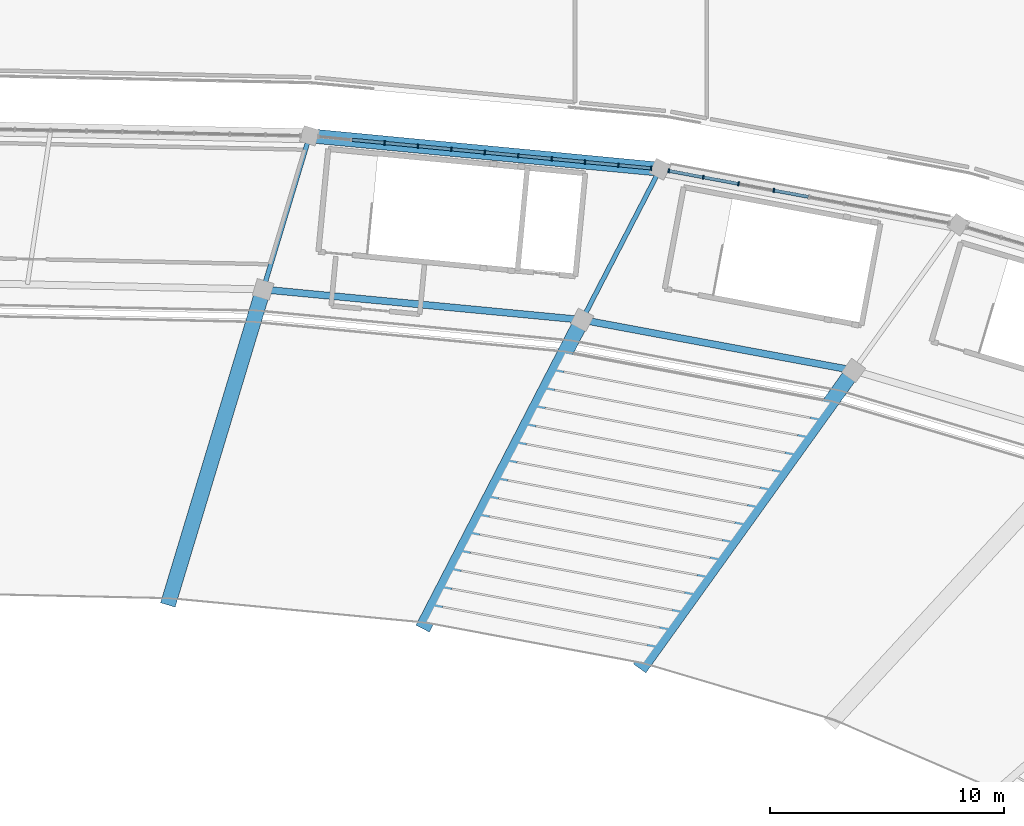
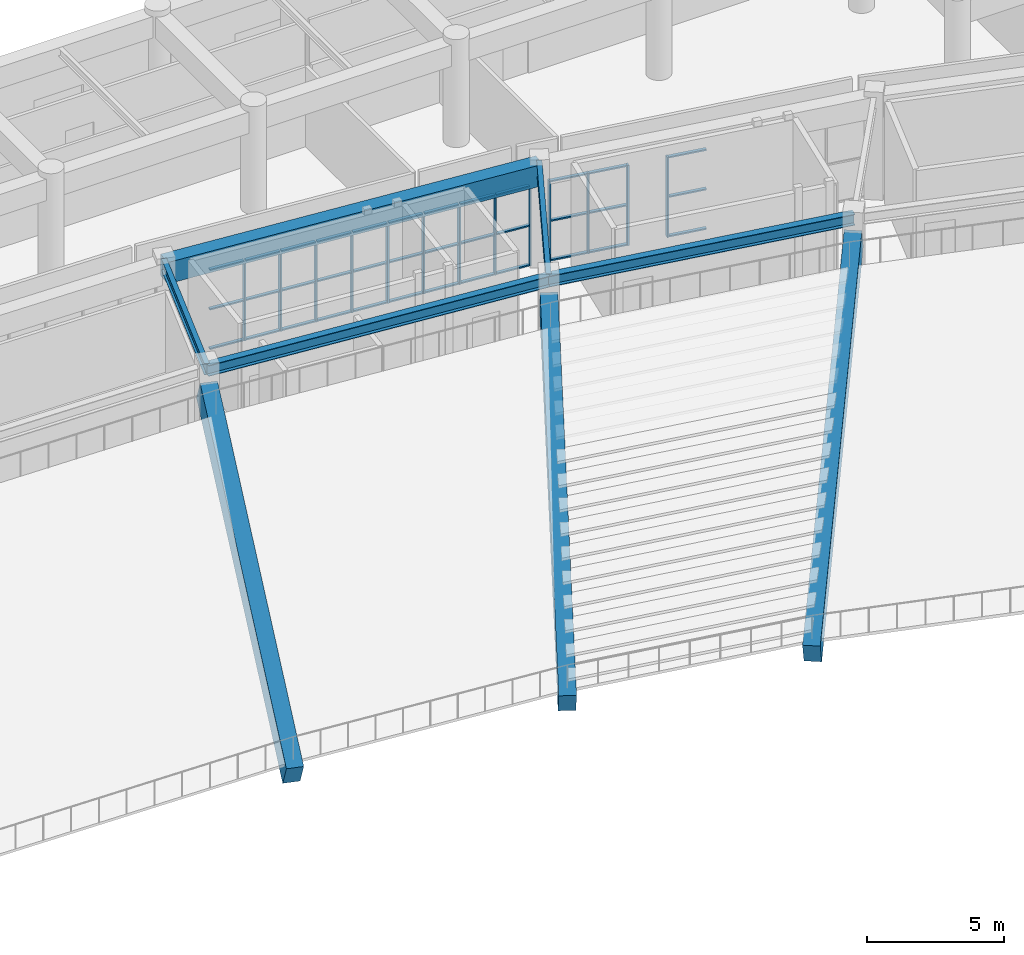
# One storey, part 64 of 137: 49 members, 8 beams, 2 elements without a shape of their own.
"""IFC4 building model written with IfcOpenShell, lengths in metres."""

from ifc_helpers import new_model, si_unit, direction, frame, origin, origin_2d, place, context, subcontext, project, spatial, rectangle, i_section, extrude, material, layer, layer_set, material_profile, profile_set, type_object, element, aggregate, save


model = new_model("IFC4")

# Units and contexts
model_context = context("Model", 3, precision=1e-05, world=origin(), true_north=direction((0.0, 1.0)))
body_context = subcontext(model_context, "Body", "Model", "MODEL_VIEW")
ifc_project = project(units=[si_unit("LENGTHUNIT", "METRE"), si_unit("AREAUNIT", "SQUARE_METRE"), si_unit("VOLUMEUNIT", "CUBIC_METRE"), si_unit("PLANEANGLEUNIT", "RADIAN"), si_unit("MASSUNIT", "GRAM", prefix="KILO")], contexts=[model_context])

# Site, building, storey
site_placement = place(None, origin())
site = spatial("IfcSite", under=ifc_project, at=site_placement, CompositionType="ELEMENT")
building_placement = place(site_placement, origin())
building = spatial("IfcBuilding", under=site, at=building_placement, Name="Mphavela Belvedere Stadium", CompositionType="ELEMENT")
storey_placement = place(building_placement, frame((0.0, 0.0, 19.199951171875)))
storey = spatial("IfcBuildingStorey", under=building, at=storey_placement, Name="L04", CompositionType="ELEMENT", Elevation=19.199951171875)

# Beams
ifc_material_1 = material(Name="Concrete C40/50", Category="concrete")
ifc_material_profile_1 = material_profile(ifc_material_1, rectangle(XDim=0.60009765625, YDim=0.949951171875, at=origin_2d()), Name="RC 600x950")
ifc_profile_set_1 = profile_set([ifc_material_profile_1], Name="Concrete C40/50")
beam_type_1 = type_object("IfcBeamType", Name="BM-ENTABLATURE-950", PredefinedType="SPANDREL", material=ifc_profile_set_1)
beam_1_placement = place(storey_placement, frame((152.07275390625, 158.767333984375, 4.074951171875), z_axis=(-0.995483415661, 0.094935605244, 0.0), x_axis=(-0.094935605244, -0.995483415661, 0.0)))
element("IfcBeam", 1, at=beam_1_placement, inside=storey, type_object=beam_type_1, Name="Circumferential girder L04 R4-11", PredefinedType="SPANDREL", context=body_context, shape_type="SweptSolid", body=[
    extrude(rectangle(XDim=0.60009765625, YDim=0.949951171875, at=origin_2d()), origin(), (0.0, 0.0, 1.0), 15.026123046875),
])
ifc_material_2 = material(Name="Precast concrete C45/55", Category="concrete")
ifc_material_profile_2 = material_profile(ifc_material_2, rectangle(XDim=0.64990234375, YDim=1.199951171875, at=origin_2d()), Name="PC 650x1200")
ifc_profile_set_2 = profile_set([ifc_material_profile_2], Name="Precast concrete C45/55")
beam_type_2 = type_object("IfcBeamType", Name="BM-RAKER-UPPER", PredefinedType="USERDEFINED", material=ifc_profile_set_2)
beam_2_placement = place(storey_placement, frame((151.3642578125, 137.6728515625, -4.349853515625), z_axis=(0.52074281352, 0.725648225206, 0.449735005778), x_axis=(-0.812448575999, 0.583032856155, 0.0)))
element("IfcBeam", 2, at=beam_2_placement, inside=storey, type_object=beam_type_2, Name="Upper tier precast cantilever raker beam RK-U-10", ObjectType="RAKER BEAM", PredefinedType="USERDEFINED", context=body_context, shape_type="SweptSolid", body=[
    extrude(rectangle(XDim=0.64990234375, YDim=1.199951171875, at=origin_2d()), origin(), (0.0, 0.0, 1.0), 17.232421875),
])
beam_3_placement = place(storey_placement, frame((142.0703125, 139.40380859375, -4.349853515625), z_axis=(0.405096393963, 0.784223741656, 0.469989398413), x_axis=(-0.888465577713, 0.458943261437, 0.0)))
element("IfcBeam", 3, at=beam_3_placement, inside=storey, type_object=beam_type_2, Name="Upper tier precast cantilever raker beam RK-U-11", ObjectType="RAKER BEAM", PredefinedType="USERDEFINED", context=body_context, shape_type="SweptSolid", body=[
    extrude(rectangle(XDim=0.64990234375, YDim=1.199951171875, at=origin_2d()), origin(), (0.0, 0.0, 1.0), 16.48974609375),
])
beam_4_placement = place(storey_placement, frame((131.14794921875, 140.4453125, -4.349853515625), z_axis=(0.252083378261, 0.83432154007, 0.490266803058), x_axis=(-0.957260157301, 0.289228268404, 0.0)))
element("IfcBeam", 4, at=beam_4_placement, inside=storey, type_object=beam_type_2, Name="Upper tier precast cantilever raker beam RK-U-12", ObjectType="RAKER BEAM", PredefinedType="USERDEFINED", context=body_context, shape_type="SweptSolid", body=[
    extrude(rectangle(XDim=0.64990234375, YDim=1.199951171875, at=origin_2d()), origin(), (0.0, 0.0, 1.0), 15.8076171875),
])
ifc_material_3 = material(Name="Steel S355", Category="steel")
ifc_material_profile_3 = material_profile(ifc_material_3, i_section(OverallWidth=0.300048828125, OverallDepth=0.489990234375, WebThickness=0.011962890625, FlangeThickness=0.02294921875, at=origin_2d()), Name="HEA 500")
ifc_profile_set_3 = profile_set([ifc_material_profile_3], Name="Steel S355")
beam_type_3 = type_object("IfcBeamType", Name="BM-STEEL-HEA500", PredefinedType="BEAM", material=ifc_profile_set_3)
beam_5_placement = place(storey_placement, frame((160.337890625, 150.177490234375, 4.304931640625), z_axis=(-0.983097725009, 0.18308157494, 0.0), x_axis=(-0.18308157494, -0.983097725009, 0.0)))
element("IfcBeam", 5, at=beam_5_placement, inside=storey, type_object=beam_type_3, Name="Circumferential girder L04 R3-10", PredefinedType="BEAM", context=body_context, shape_type="SweptSolid", body=[
    extrude(i_section(OverallWidth=0.300048828125, OverallDepth=0.489990234375, WebThickness=0.011962890625, FlangeThickness=0.02294921875, at=origin_2d()), origin(), (0.0, 0.0, 1.0), 11.786865234375),
])
beam_6_placement = place(storey_placement, frame((148.750244140625, 152.33544921875, 4.304931640625), z_axis=(-0.995483834103, 0.094931217412, 0.0), x_axis=(-0.094931217412, -0.995483834103, 0.0)))
element("IfcBeam", 6, at=beam_6_placement, inside=storey, type_object=beam_type_3, Name="Circumferential girder L04 R3-11", PredefinedType="BEAM", context=body_context, shape_type="SweptSolid", body=[
    extrude(i_section(OverallWidth=0.300048828125, OverallDepth=0.489990234375, WebThickness=0.011962890625, FlangeThickness=0.02294921875, at=origin_2d()), origin(), (0.0, 0.0, 1.0), 13.67919921875),
])
ifc_material_4 = material(Name="Steel S355", Category="steel")
ifc_material_profile_4 = material_profile(ifc_material_4, i_section(OverallWidth=0.199951171875, OverallDepth=0.5, WebThickness=0.01025390625, FlangeThickness=0.01611328125, at=origin_2d()), Name="IPE 500")
ifc_profile_set_4 = profile_set([ifc_material_profile_4], Name="Steel S355")
beam_type_4 = type_object("IfcBeamType", Name="BM-STEEL-IPE500", PredefinedType="BEAM", material=ifc_profile_set_4)
beam_7_placement = place(storey_placement, frame((148.750244140625, 152.33544921875, 4.300048828125), z_axis=(0.458951286165, 0.888461432436, 0.0), x_axis=(-0.888461432436, 0.458951286165, 0.0)))
element("IfcBeam", 7, at=beam_7_placement, inside=storey, type_object=beam_type_4, Name="Radial concourse girder L04 R3R4-11", PredefinedType="BEAM", context=body_context, shape_type="SweptSolid", body=[
    extrude(i_section(OverallWidth=0.199951171875, OverallDepth=0.5, WebThickness=0.01025390625, FlangeThickness=0.01611328125, at=origin_2d()), origin(), (0.0, 0.0, 1.0), 7.2392578125),
])
beam_8_placement = place(storey_placement, frame((135.1328125, 153.634033203125, 4.300048828125), z_axis=(0.28918755919, 0.95727245631, 0.0), x_axis=(-0.95727245631, 0.28918755919, 0.0)))
element("IfcBeam", 8, at=beam_8_placement, inside=storey, type_object=beam_type_4, Name="Radial concourse girder L04 R3R4-12", PredefinedType="BEAM", context=body_context, shape_type="SweptSolid", body=[
    extrude(i_section(OverallWidth=0.199951171875, OverallDepth=0.5, WebThickness=0.01025390625, FlangeThickness=0.01611328125, at=origin_2d()), origin(), (0.0, 0.0, 1.0), 6.8525390625),
])

# Curtain wall, members
ifc_material_5 = material(Name="Anodised bronze unitised curtain wall framing")
ifc_layer_1 = layer(ifc_material_5, 0.205078125)
ifc_layer_set_1 = layer_set([ifc_layer_1], Name="Anodised bronze unitised curtain wall framing")
curtain_wall_type_1 = type_object("IfcCurtainWallType", Name="CW-UNIT-06", PredefinedType="USERDEFINED", material=ifc_layer_set_1)
curtain_wall_1_placement = place(storey_placement, origin())
curtain_wall_1 = element("IfcCurtainWall", 9, at=curtain_wall_1_placement, inside=storey, type_object=curtain_wall_type_1, Name="Belvedere colonnade curtain wall L04-10", ObjectType="UNITISED CURTAIN WALL", PredefinedType="USERDEFINED")
ifc_material_6 = material(Name="Anodised bronze extruded aluminium", Category="aluminium")
ifc_material_profile_5 = material_profile(ifc_material_6, rectangle(XDim=0.179931640625, YDim=0.06494140625, at=origin_2d()), Name="CW-MUL 180x65")
ifc_profile_set_5 = profile_set([ifc_material_profile_5], Name="Anodised bronze extruded aluminium")
member_type_1 = type_object("IfcMemberType", Name="CWM-180x65", PredefinedType="MULLION", material=ifc_profile_set_5)
member_1_placement = place(storey_placement, frame((156.931396484375, 157.862548828125, 0.0), z_axis=(0.0, 0.0, 1.0), x_axis=(-0.183090835302, -0.983096000413, 0.0)))
member_1 = element("IfcMember", 10, at=member_1_placement, type_object=member_type_1, Name="CW-06 mullion 6", PredefinedType="MULLION", context=body_context, shape_type="SweptSolid", body=[
    extrude(rectangle(XDim=0.179931640625, YDim=0.06494140625, at=origin_2d()), origin(), (0.0, 0.0, 1.0), 3.570068359375),
])
member_2_placement = place(storey_placement, frame((155.426025390625, 158.142822265625, 0.0), z_axis=(0.0, 0.0, 1.0), x_axis=(-0.183090835302, -0.983096000413, 0.0)))
member_2 = element("IfcMember", 11, at=member_2_placement, type_object=member_type_1, Name="CW-06 mullion 7", PredefinedType="MULLION", context=body_context, shape_type="SweptSolid", body=[
    extrude(rectangle(XDim=0.179931640625, YDim=0.06494140625, at=origin_2d()), origin(), (0.0, 0.0, 1.0), 3.570068359375),
])
member_3_placement = place(storey_placement, frame((153.92041015625, 158.42333984375, 0.0), z_axis=(0.0, 0.0, 1.0), x_axis=(-0.183090835302, -0.983096000413, 0.0)))
member_3 = element("IfcMember", 12, at=member_3_placement, type_object=member_type_1, Name="CW-06 mullion 8", PredefinedType="MULLION", context=body_context, shape_type="SweptSolid", body=[
    extrude(rectangle(XDim=0.179931640625, YDim=0.06494140625, at=origin_2d()), origin(), (0.0, 0.0, 1.0), 3.570068359375),
])
member_4_placement = place(storey_placement, frame((152.44677734375, 158.69775390625, 0.0), z_axis=(0.0, 0.0, 1.0), x_axis=(-0.183090835302, -0.983096000413, 0.0)))
member_4 = element("IfcMember", 13, at=member_4_placement, type_object=member_type_1, Name="CW-06 mullion 9", PredefinedType="MULLION", context=body_context, shape_type="SweptSolid", body=[
    extrude(rectangle(XDim=0.179931640625, YDim=0.06494140625, at=origin_2d()), origin(), (0.0, 0.0, 1.0), 3.570068359375),
])

ifc_material_7 = material(Name="Anodised bronze unitised curtain wall framing")
ifc_layer_2 = layer(ifc_material_7, 0.179931640625)
ifc_layer_set_2 = layer_set([ifc_layer_2], Name="Anodised bronze unitised curtain wall framing")
curtain_wall_type_2 = type_object("IfcCurtainWallType", Name="CW-UNIT-01", PredefinedType="USERDEFINED", material=ifc_layer_set_2)
curtain_wall_2_placement = place(storey_placement, origin())
curtain_wall_2 = element("IfcCurtainWall", 14, at=curtain_wall_2_placement, inside=storey, type_object=curtain_wall_type_2, Name="Belvedere colonnade curtain wall L04-11", ObjectType="UNITISED CURTAIN WALL", PredefinedType="USERDEFINED")
member_5_placement = place(storey_placement, frame((151.694091796875, 158.803466796875, 0.0), z_axis=(0.0, 0.0, 1.0), x_axis=(-0.094932913757, -0.995483672335, 0.0)))
member_5 = element("IfcMember", 15, at=member_5_placement, type_object=member_type_1, Name="CW-01 mullion 1", PredefinedType="MULLION", context=body_context, shape_type="SweptSolid", body=[
    extrude(rectangle(XDim=0.179931640625, YDim=0.06494140625, at=origin_2d()), origin(), (0.0, 0.0, 1.0), 3.570068359375),
])
member_6_placement = place(storey_placement, frame((150.2998046875, 158.9365234375, 0.0), z_axis=(0.0, 0.0, 1.0), x_axis=(-0.094932913757, -0.995483672335, 0.0)))
member_6 = element("IfcMember", 16, at=member_6_placement, type_object=member_type_1, Name="CW-01 mullion 2", PredefinedType="MULLION", context=body_context, shape_type="SweptSolid", body=[
    extrude(rectangle(XDim=0.179931640625, YDim=0.06494140625, at=origin_2d()), origin(), (0.0, 0.0, 1.0), 3.570068359375),
])
member_7_placement = place(storey_placement, frame((148.873291015625, 159.072509765625, 0.0), z_axis=(0.0, 0.0, 1.0), x_axis=(-0.094932913757, -0.995483672335, 0.0)))
member_7 = element("IfcMember", 17, at=member_7_placement, type_object=member_type_1, Name="CW-01 mullion 3", PredefinedType="MULLION", context=body_context, shape_type="SweptSolid", body=[
    extrude(rectangle(XDim=0.179931640625, YDim=0.06494140625, at=origin_2d()), origin(), (0.0, 0.0, 1.0), 3.570068359375),
])
member_8_placement = place(storey_placement, frame((147.44677734375, 159.20849609375, 0.0), z_axis=(0.0, 0.0, 1.0), x_axis=(-0.094932913757, -0.995483672335, 0.0)))
member_8 = element("IfcMember", 18, at=member_8_placement, type_object=member_type_1, Name="CW-01 mullion 4", PredefinedType="MULLION", context=body_context, shape_type="SweptSolid", body=[
    extrude(rectangle(XDim=0.179931640625, YDim=0.06494140625, at=origin_2d()), origin(), (0.0, 0.0, 1.0), 3.570068359375),
])
member_9_placement = place(storey_placement, frame((146.020263671875, 159.344482421875, 0.0), z_axis=(0.0, 0.0, 1.0), x_axis=(-0.094932913757, -0.995483672335, 0.0)))
member_9 = element("IfcMember", 19, at=member_9_placement, type_object=member_type_1, Name="CW-01 mullion 5", PredefinedType="MULLION", context=body_context, shape_type="SweptSolid", body=[
    extrude(rectangle(XDim=0.179931640625, YDim=0.06494140625, at=origin_2d()), origin(), (0.0, 0.0, 1.0), 3.570068359375),
])
member_10_placement = place(storey_placement, frame((144.59375, 159.480712890625, 0.0), z_axis=(0.0, 0.0, 1.0), x_axis=(-0.094932913757, -0.995483672335, 0.0)))
member_10 = element("IfcMember", 20, at=member_10_placement, type_object=member_type_1, Name="CW-01 mullion 6", PredefinedType="MULLION", context=body_context, shape_type="SweptSolid", body=[
    extrude(rectangle(XDim=0.179931640625, YDim=0.06494140625, at=origin_2d()), origin(), (0.0, 0.0, 1.0), 3.570068359375),
])
member_11_placement = place(storey_placement, frame((143.167236328125, 159.61669921875, 0.0), z_axis=(0.0, 0.0, 1.0), x_axis=(-0.094932913757, -0.995483672335, 0.0)))
member_11 = element("IfcMember", 21, at=member_11_placement, type_object=member_type_1, Name="CW-01 mullion 7", PredefinedType="MULLION", context=body_context, shape_type="SweptSolid", body=[
    extrude(rectangle(XDim=0.179931640625, YDim=0.06494140625, at=origin_2d()), origin(), (0.0, 0.0, 1.0), 3.570068359375),
])
member_12_placement = place(storey_placement, frame((141.74072265625, 159.752685546875, 0.0), z_axis=(0.0, 0.0, 1.0), x_axis=(-0.094932913757, -0.995483672335, 0.0)))
member_12 = element("IfcMember", 22, at=member_12_placement, type_object=member_type_1, Name="CW-01 mullion 8", PredefinedType="MULLION", context=body_context, shape_type="SweptSolid", body=[
    extrude(rectangle(XDim=0.179931640625, YDim=0.06494140625, at=origin_2d()), origin(), (0.0, 0.0, 1.0), 3.570068359375),
])
member_13_placement = place(storey_placement, frame((140.31396484375, 159.888671875, 0.0), z_axis=(0.0, 0.0, 1.0), x_axis=(-0.094932913757, -0.995483672335, 0.0)))
member_13 = element("IfcMember", 23, at=member_13_placement, type_object=member_type_1, Name="CW-01 mullion 9", PredefinedType="MULLION", context=body_context, shape_type="SweptSolid", body=[
    extrude(rectangle(XDim=0.179931640625, YDim=0.06494140625, at=origin_2d()), origin(), (0.0, 0.0, 1.0), 3.570068359375),
])

# Member
ifc_material_8 = material(Name="Anodised bronze extruded aluminium", Category="aluminium")
ifc_material_profile_6 = material_profile(ifc_material_8, rectangle(XDim=0.139892578125, YDim=0.06005859375, at=origin_2d()), Name="CW-TRN 140x60")
ifc_profile_set_6 = profile_set([ifc_material_profile_6], Name="Anodised bronze extruded aluminium")
member_type_2 = type_object("IfcMemberType", Name="CWT-140x60", PredefinedType="USERDEFINED", material=ifc_profile_set_6)
member_14_placement = place(storey_placement, frame((158.405029296875, 157.588134765625, 0.030029296875), z_axis=(-0.983088250536, 0.183132442945, 0.0), x_axis=(-0.183132442945, -0.983088250536, 0.0)))
member_14 = element("IfcMember", 24, at=member_14_placement, type_object=member_type_2, Name="CW-06 transom 5.1", ObjectType="TRANSOM", PredefinedType="USERDEFINED", context=body_context, shape_type="SweptSolid", body=[
    extrude(rectangle(XDim=0.139892578125, YDim=0.06005859375, at=origin_2d()), origin(), (0.0, 0.0, 1.0), 1.466552734375),
])

member_15_placement = place(storey_placement, frame((158.405029296875, 157.588134765625, 1.78515625), z_axis=(-0.983088250536, 0.183132442945, 0.0), x_axis=(-0.183132442945, -0.983088250536, 0.0)))
member_15 = element("IfcMember", 25, at=member_15_placement, type_object=member_type_2, Name="CW-06 transom 5.2", ObjectType="TRANSOM", PredefinedType="USERDEFINED", context=body_context, shape_type="SweptSolid", body=[
    extrude(rectangle(XDim=0.139892578125, YDim=0.06005859375, at=origin_2d()), origin(), (0.0, 0.0, 1.0), 1.466552734375),
])

member_16_placement = place(storey_placement, frame((158.405029296875, 157.588134765625, 3.5400390625), z_axis=(-0.983088250536, 0.183132442945, 0.0), x_axis=(-0.183132442945, -0.983088250536, 0.0)))
member_16 = element("IfcMember", 26, at=member_16_placement, type_object=member_type_2, Name="CW-06 transom 5.3", ObjectType="TRANSOM", PredefinedType="USERDEFINED", context=body_context, shape_type="SweptSolid", body=[
    extrude(rectangle(XDim=0.139892578125, YDim=0.06005859375, at=origin_2d()), origin(), (0.0, 0.0, 1.0), 1.466552734375),
])

member_17_placement = place(storey_placement, frame((155.39404296875, 158.14892578125, 0.030029296875), z_axis=(-0.983088250536, 0.183132442945, 0.0), x_axis=(-0.183132442945, -0.983088250536, 0.0)))
member_17 = element("IfcMember", 27, at=member_17_placement, type_object=member_type_2, Name="CW-06 transom 7.1", ObjectType="TRANSOM", PredefinedType="USERDEFINED", context=body_context, shape_type="SweptSolid", body=[
    extrude(rectangle(XDim=0.139892578125, YDim=0.06005859375, at=origin_2d()), origin(), (0.0, 0.0, 1.0), 1.466552734375),
])

member_18_placement = place(storey_placement, frame((155.39404296875, 158.14892578125, 1.78515625), z_axis=(-0.983088250536, 0.183132442945, 0.0), x_axis=(-0.183132442945, -0.983088250536, 0.0)))
member_18 = element("IfcMember", 28, at=member_18_placement, type_object=member_type_2, Name="CW-06 transom 7.2", ObjectType="TRANSOM", PredefinedType="USERDEFINED", context=body_context, shape_type="SweptSolid", body=[
    extrude(rectangle(XDim=0.139892578125, YDim=0.06005859375, at=origin_2d()), origin(), (0.0, 0.0, 1.0), 1.466552734375),
])

member_19_placement = place(storey_placement, frame((155.39404296875, 158.14892578125, 3.5400390625), z_axis=(-0.983088250536, 0.183132442945, 0.0), x_axis=(-0.183132442945, -0.983088250536, 0.0)))
member_19 = element("IfcMember", 29, at=member_19_placement, type_object=member_type_2, Name="CW-06 transom 7.3", ObjectType="TRANSOM", PredefinedType="USERDEFINED", context=body_context, shape_type="SweptSolid", body=[
    extrude(rectangle(XDim=0.139892578125, YDim=0.06005859375, at=origin_2d()), origin(), (0.0, 0.0, 1.0), 1.466552734375),
])

member_20_placement = place(storey_placement, frame((153.888427734375, 158.42919921875, 0.030029296875), z_axis=(-0.9830758938, 0.183198763722, 0.0), x_axis=(-0.183198763722, -0.9830758938, 0.0)))
member_20 = element("IfcMember", 30, at=member_20_placement, type_object=member_type_2, Name="CW-06 transom 8.1", ObjectType="TRANSOM", PredefinedType="USERDEFINED", context=body_context, shape_type="SweptSolid", body=[
    extrude(rectangle(XDim=0.139892578125, YDim=0.06005859375, at=origin_2d()), origin(), (0.0, 0.0, 1.0), 1.433837890625),
])

member_21_placement = place(storey_placement, frame((153.888427734375, 158.42919921875, 1.78515625), z_axis=(-0.9830758938, 0.183198763722, 0.0), x_axis=(-0.183198763722, -0.9830758938, 0.0)))
member_21 = element("IfcMember", 31, at=member_21_placement, type_object=member_type_2, Name="CW-06 transom 8.2", ObjectType="TRANSOM", PredefinedType="USERDEFINED", context=body_context, shape_type="SweptSolid", body=[
    extrude(rectangle(XDim=0.139892578125, YDim=0.06005859375, at=origin_2d()), origin(), (0.0, 0.0, 1.0), 1.433837890625),
])

member_22_placement = place(storey_placement, frame((153.888427734375, 158.42919921875, 3.5400390625), z_axis=(-0.9830758938, 0.183198763722, 0.0), x_axis=(-0.183198763722, -0.9830758938, 0.0)))
member_22 = element("IfcMember", 32, at=member_22_placement, type_object=member_type_2, Name="CW-06 transom 8.3", ObjectType="TRANSOM", PredefinedType="USERDEFINED", context=body_context, shape_type="SweptSolid", body=[
    extrude(rectangle(XDim=0.139892578125, YDim=0.06005859375, at=origin_2d()), origin(), (0.0, 0.0, 1.0), 1.433837890625),
])

aggregate(curtain_wall_1, [member_1, member_2, member_3, member_4, member_14, member_15, member_16, member_17, member_18, member_19, member_20, member_21, member_22])

member_23_placement = place(storey_placement, frame((151.66162109375, 158.806640625, 0.030029296875), z_axis=(-0.995488074353, 0.094886742073, 0.0), x_axis=(-0.094886742073, -0.995488074353, 0.0)))
member_23 = element("IfcMember", 33, at=member_23_placement, type_object=member_type_2, Name="CW-01 transom 1.1", ObjectType="TRANSOM", PredefinedType="USERDEFINED", context=body_context, shape_type="SweptSolid", body=[
    extrude(rectangle(XDim=0.139892578125, YDim=0.06005859375, at=origin_2d()), origin(), (0.0, 0.0, 1.0), 1.33544921875),
])

member_24_placement = place(storey_placement, frame((151.66162109375, 158.806640625, 1.78515625), z_axis=(-0.995488074353, 0.094886742073, 0.0), x_axis=(-0.094886742073, -0.995488074353, 0.0)))
member_24 = element("IfcMember", 34, at=member_24_placement, type_object=member_type_2, Name="CW-01 transom 1.2", ObjectType="TRANSOM", PredefinedType="USERDEFINED", context=body_context, shape_type="SweptSolid", body=[
    extrude(rectangle(XDim=0.139892578125, YDim=0.06005859375, at=origin_2d()), origin(), (0.0, 0.0, 1.0), 1.33544921875),
])

member_25_placement = place(storey_placement, frame((151.66162109375, 158.806640625, 3.5400390625), z_axis=(-0.995488074353, 0.094886742073, 0.0), x_axis=(-0.094886742073, -0.995488074353, 0.0)))
member_25 = element("IfcMember", 35, at=member_25_placement, type_object=member_type_2, Name="CW-01 transom 1.3", ObjectType="TRANSOM", PredefinedType="USERDEFINED", context=body_context, shape_type="SweptSolid", body=[
    extrude(rectangle(XDim=0.139892578125, YDim=0.06005859375, at=origin_2d()), origin(), (0.0, 0.0, 1.0), 1.33544921875),
])

member_26_placement = place(storey_placement, frame((150.267578125, 158.939453125, 0.030029296875), z_axis=(-0.995482629973, 0.094943843518, 0.0), x_axis=(-0.094943843518, -0.995482629973, 0.0)))
member_26 = element("IfcMember", 36, at=member_26_placement, type_object=member_type_2, Name="CW-01 transom 2.1", ObjectType="TRANSOM", PredefinedType="USERDEFINED", context=body_context, shape_type="SweptSolid", body=[
    extrude(rectangle(XDim=0.139892578125, YDim=0.06005859375, at=origin_2d()), origin(), (0.0, 0.0, 1.0), 1.367919921875),
])

member_27_placement = place(storey_placement, frame((150.267578125, 158.939453125, 1.78515625), z_axis=(-0.995482629973, 0.094943843518, 0.0), x_axis=(-0.094943843518, -0.995482629973, 0.0)))
member_27 = element("IfcMember", 37, at=member_27_placement, type_object=member_type_2, Name="CW-01 transom 2.2", ObjectType="TRANSOM", PredefinedType="USERDEFINED", context=body_context, shape_type="SweptSolid", body=[
    extrude(rectangle(XDim=0.139892578125, YDim=0.06005859375, at=origin_2d()), origin(), (0.0, 0.0, 1.0), 1.367919921875),
])

member_28_placement = place(storey_placement, frame((150.267578125, 158.939453125, 3.5400390625), z_axis=(-0.995482629973, 0.094943843518, 0.0), x_axis=(-0.094943843518, -0.995482629973, 0.0)))
member_28 = element("IfcMember", 38, at=member_28_placement, type_object=member_type_2, Name="CW-01 transom 2.3", ObjectType="TRANSOM", PredefinedType="USERDEFINED", context=body_context, shape_type="SweptSolid", body=[
    extrude(rectangle(XDim=0.139892578125, YDim=0.06005859375, at=origin_2d()), origin(), (0.0, 0.0, 1.0), 1.367919921875),
])

member_29_placement = place(storey_placement, frame((148.841064453125, 159.07568359375, 0.030029296875), z_axis=(-0.99549948224, 0.094766981906, 0.0), x_axis=(-0.094766981906, -0.99549948224, 0.0)))
member_29 = element("IfcMember", 39, at=member_29_placement, type_object=member_type_2, Name="CW-01 transom 3.1", ObjectType="TRANSOM", PredefinedType="USERDEFINED", context=body_context, shape_type="SweptSolid", body=[
    extrude(rectangle(XDim=0.139892578125, YDim=0.06005859375, at=origin_2d()), origin(), (0.0, 0.0, 1.0), 1.367919921875),
])

member_30_placement = place(storey_placement, frame((148.841064453125, 159.07568359375, 1.78515625), z_axis=(-0.99549948224, 0.094766981906, 0.0), x_axis=(-0.094766981906, -0.99549948224, 0.0)))
member_30 = element("IfcMember", 40, at=member_30_placement, type_object=member_type_2, Name="CW-01 transom 3.2", ObjectType="TRANSOM", PredefinedType="USERDEFINED", context=body_context, shape_type="SweptSolid", body=[
    extrude(rectangle(XDim=0.139892578125, YDim=0.06005859375, at=origin_2d()), origin(), (0.0, 0.0, 1.0), 1.367919921875),
])

member_31_placement = place(storey_placement, frame((148.841064453125, 159.07568359375, 3.5400390625), z_axis=(-0.99549948224, 0.094766981906, 0.0), x_axis=(-0.094766981906, -0.99549948224, 0.0)))
member_31 = element("IfcMember", 41, at=member_31_placement, type_object=member_type_2, Name="CW-01 transom 3.3", ObjectType="TRANSOM", PredefinedType="USERDEFINED", context=body_context, shape_type="SweptSolid", body=[
    extrude(rectangle(XDim=0.139892578125, YDim=0.06005859375, at=origin_2d()), origin(), (0.0, 0.0, 1.0), 1.367919921875),
])

member_32_placement = place(storey_placement, frame((147.414306640625, 159.211669921875, 0.030029296875), z_axis=(-0.995482629973, 0.094943843518, 0.0), x_axis=(-0.094943843518, -0.995482629973, 0.0)))
member_32 = element("IfcMember", 42, at=member_32_placement, type_object=member_type_2, Name="CW-01 transom 4.1", ObjectType="TRANSOM", PredefinedType="USERDEFINED", context=body_context, shape_type="SweptSolid", body=[
    extrude(rectangle(XDim=0.139892578125, YDim=0.06005859375, at=origin_2d()), origin(), (0.0, 0.0, 1.0), 1.367919921875),
])

member_33_placement = place(storey_placement, frame((147.414306640625, 159.211669921875, 1.78515625), z_axis=(-0.995482629973, 0.094943843518, 0.0), x_axis=(-0.094943843518, -0.995482629973, 0.0)))
member_33 = element("IfcMember", 43, at=member_33_placement, type_object=member_type_2, Name="CW-01 transom 4.2", ObjectType="TRANSOM", PredefinedType="USERDEFINED", context=body_context, shape_type="SweptSolid", body=[
    extrude(rectangle(XDim=0.139892578125, YDim=0.06005859375, at=origin_2d()), origin(), (0.0, 0.0, 1.0), 1.367919921875),
])

member_34_placement = place(storey_placement, frame((147.414306640625, 159.211669921875, 3.5400390625), z_axis=(-0.995482629973, 0.094943843518, 0.0), x_axis=(-0.094943843518, -0.995482629973, 0.0)))
member_34 = element("IfcMember", 44, at=member_34_placement, type_object=member_type_2, Name="CW-01 transom 4.3", ObjectType="TRANSOM", PredefinedType="USERDEFINED", context=body_context, shape_type="SweptSolid", body=[
    extrude(rectangle(XDim=0.139892578125, YDim=0.06005859375, at=origin_2d()), origin(), (0.0, 0.0, 1.0), 1.367919921875),
])

member_35_placement = place(storey_placement, frame((145.98779296875, 159.34765625, 0.030029296875), z_axis=(-0.995482629973, 0.094943843518, 0.0), x_axis=(-0.094943843518, -0.995482629973, 0.0)))
member_35 = element("IfcMember", 45, at=member_35_placement, type_object=member_type_2, Name="CW-01 transom 5.1", ObjectType="TRANSOM", PredefinedType="USERDEFINED", context=body_context, shape_type="SweptSolid", body=[
    extrude(rectangle(XDim=0.139892578125, YDim=0.06005859375, at=origin_2d()), origin(), (0.0, 0.0, 1.0), 1.367919921875),
])

member_36_placement = place(storey_placement, frame((145.98779296875, 159.34765625, 1.78515625), z_axis=(-0.995482629973, 0.094943843518, 0.0), x_axis=(-0.094943843518, -0.995482629973, 0.0)))
member_36 = element("IfcMember", 46, at=member_36_placement, type_object=member_type_2, Name="CW-01 transom 5.2", ObjectType="TRANSOM", PredefinedType="USERDEFINED", context=body_context, shape_type="SweptSolid", body=[
    extrude(rectangle(XDim=0.139892578125, YDim=0.06005859375, at=origin_2d()), origin(), (0.0, 0.0, 1.0), 1.367919921875),
])

member_37_placement = place(storey_placement, frame((145.98779296875, 159.34765625, 3.5400390625), z_axis=(-0.995482629973, 0.094943843518, 0.0), x_axis=(-0.094943843518, -0.995482629973, 0.0)))
member_37 = element("IfcMember", 47, at=member_37_placement, type_object=member_type_2, Name="CW-01 transom 5.3", ObjectType="TRANSOM", PredefinedType="USERDEFINED", context=body_context, shape_type="SweptSolid", body=[
    extrude(rectangle(XDim=0.139892578125, YDim=0.06005859375, at=origin_2d()), origin(), (0.0, 0.0, 1.0), 1.367919921875),
])

member_38_placement = place(storey_placement, frame((144.561279296875, 159.483642578125, 0.030029296875), z_axis=(-0.995482629973, 0.094943843518, 0.0), x_axis=(-0.094943843518, -0.995482629973, 0.0)))
member_38 = element("IfcMember", 48, at=member_38_placement, type_object=member_type_2, Name="CW-01 transom 6.1", ObjectType="TRANSOM", PredefinedType="USERDEFINED", context=body_context, shape_type="SweptSolid", body=[
    extrude(rectangle(XDim=0.139892578125, YDim=0.06005859375, at=origin_2d()), origin(), (0.0, 0.0, 1.0), 1.367919921875),
])

member_39_placement = place(storey_placement, frame((144.561279296875, 159.483642578125, 1.78515625), z_axis=(-0.995482629973, 0.094943843518, 0.0), x_axis=(-0.094943843518, -0.995482629973, 0.0)))
member_39 = element("IfcMember", 49, at=member_39_placement, type_object=member_type_2, Name="CW-01 transom 6.2", ObjectType="TRANSOM", PredefinedType="USERDEFINED", context=body_context, shape_type="SweptSolid", body=[
    extrude(rectangle(XDim=0.139892578125, YDim=0.06005859375, at=origin_2d()), origin(), (0.0, 0.0, 1.0), 1.367919921875),
])

member_40_placement = place(storey_placement, frame((144.561279296875, 159.483642578125, 3.5400390625), z_axis=(-0.995482629973, 0.094943843518, 0.0), x_axis=(-0.094943843518, -0.995482629973, 0.0)))
member_40 = element("IfcMember", 50, at=member_40_placement, type_object=member_type_2, Name="CW-01 transom 6.3", ObjectType="TRANSOM", PredefinedType="USERDEFINED", context=body_context, shape_type="SweptSolid", body=[
    extrude(rectangle(XDim=0.139892578125, YDim=0.06005859375, at=origin_2d()), origin(), (0.0, 0.0, 1.0), 1.367919921875),
])

member_41_placement = place(storey_placement, frame((143.134765625, 159.61962890625, 0.030029296875), z_axis=(-0.995482629973, 0.094943843518, 0.0), x_axis=(-0.094943843518, -0.995482629973, 0.0)))
member_41 = element("IfcMember", 51, at=member_41_placement, type_object=member_type_2, Name="CW-01 transom 7.1", ObjectType="TRANSOM", PredefinedType="USERDEFINED", context=body_context, shape_type="SweptSolid", body=[
    extrude(rectangle(XDim=0.139892578125, YDim=0.06005859375, at=origin_2d()), origin(), (0.0, 0.0, 1.0), 1.367919921875),
])

member_42_placement = place(storey_placement, frame((143.134765625, 159.61962890625, 1.78515625), z_axis=(-0.995482629973, 0.094943843518, 0.0), x_axis=(-0.094943843518, -0.995482629973, 0.0)))
member_42 = element("IfcMember", 52, at=member_42_placement, type_object=member_type_2, Name="CW-01 transom 7.2", ObjectType="TRANSOM", PredefinedType="USERDEFINED", context=body_context, shape_type="SweptSolid", body=[
    extrude(rectangle(XDim=0.139892578125, YDim=0.06005859375, at=origin_2d()), origin(), (0.0, 0.0, 1.0), 1.367919921875),
])

member_43_placement = place(storey_placement, frame((143.134765625, 159.61962890625, 3.5400390625), z_axis=(-0.995482629973, 0.094943843518, 0.0), x_axis=(-0.094943843518, -0.995482629973, 0.0)))
member_43 = element("IfcMember", 53, at=member_43_placement, type_object=member_type_2, Name="CW-01 transom 7.3", ObjectType="TRANSOM", PredefinedType="USERDEFINED", context=body_context, shape_type="SweptSolid", body=[
    extrude(rectangle(XDim=0.139892578125, YDim=0.06005859375, at=origin_2d()), origin(), (0.0, 0.0, 1.0), 1.367919921875),
])

member_44_placement = place(storey_placement, frame((141.708251953125, 159.755859375, 0.030029296875), z_axis=(-0.995482629973, 0.094943843518, 0.0), x_axis=(-0.094943843518, -0.995482629973, 0.0)))
member_44 = element("IfcMember", 54, at=member_44_placement, type_object=member_type_2, Name="CW-01 transom 8.1", ObjectType="TRANSOM", PredefinedType="USERDEFINED", context=body_context, shape_type="SweptSolid", body=[
    extrude(rectangle(XDim=0.139892578125, YDim=0.06005859375, at=origin_2d()), origin(), (0.0, 0.0, 1.0), 1.367919921875),
])

member_45_placement = place(storey_placement, frame((141.708251953125, 159.755859375, 1.78515625), z_axis=(-0.995482629973, 0.094943843518, 0.0), x_axis=(-0.094943843518, -0.995482629973, 0.0)))
member_45 = element("IfcMember", 55, at=member_45_placement, type_object=member_type_2, Name="CW-01 transom 8.2", ObjectType="TRANSOM", PredefinedType="USERDEFINED", context=body_context, shape_type="SweptSolid", body=[
    extrude(rectangle(XDim=0.139892578125, YDim=0.06005859375, at=origin_2d()), origin(), (0.0, 0.0, 1.0), 1.367919921875),
])

member_46_placement = place(storey_placement, frame((141.708251953125, 159.755859375, 3.5400390625), z_axis=(-0.995482629973, 0.094943843518, 0.0), x_axis=(-0.094943843518, -0.995482629973, 0.0)))
member_46 = element("IfcMember", 56, at=member_46_placement, type_object=member_type_2, Name="CW-01 transom 8.3", ObjectType="TRANSOM", PredefinedType="USERDEFINED", context=body_context, shape_type="SweptSolid", body=[
    extrude(rectangle(XDim=0.139892578125, YDim=0.06005859375, at=origin_2d()), origin(), (0.0, 0.0, 1.0), 1.367919921875),
])

member_47_placement = place(storey_placement, frame((140.28173828125, 159.891845703125, 0.030029296875), z_axis=(-0.995482629973, 0.094943843518, 0.0), x_axis=(-0.094943843518, -0.995482629973, 0.0)))
member_47 = element("IfcMember", 57, at=member_47_placement, type_object=member_type_2, Name="CW-01 transom 9.1", ObjectType="TRANSOM", PredefinedType="USERDEFINED", context=body_context, shape_type="SweptSolid", body=[
    extrude(rectangle(XDim=0.139892578125, YDim=0.06005859375, at=origin_2d()), origin(), (0.0, 0.0, 1.0), 1.367919921875),
])

member_48_placement = place(storey_placement, frame((140.28173828125, 159.891845703125, 1.78515625), z_axis=(-0.995482629973, 0.094943843518, 0.0), x_axis=(-0.094943843518, -0.995482629973, 0.0)))
member_48 = element("IfcMember", 58, at=member_48_placement, type_object=member_type_2, Name="CW-01 transom 9.2", ObjectType="TRANSOM", PredefinedType="USERDEFINED", context=body_context, shape_type="SweptSolid", body=[
    extrude(rectangle(XDim=0.139892578125, YDim=0.06005859375, at=origin_2d()), origin(), (0.0, 0.0, 1.0), 1.367919921875),
])

member_49_placement = place(storey_placement, frame((140.28173828125, 159.891845703125, 3.5400390625), z_axis=(-0.995482629973, 0.094943843518, 0.0), x_axis=(-0.094943843518, -0.995482629973, 0.0)))
member_49 = element("IfcMember", 59, at=member_49_placement, type_object=member_type_2, Name="CW-01 transom 9.3", ObjectType="TRANSOM", PredefinedType="USERDEFINED", context=body_context, shape_type="SweptSolid", body=[
    extrude(rectangle(XDim=0.139892578125, YDim=0.06005859375, at=origin_2d()), origin(), (0.0, 0.0, 1.0), 1.367919921875),
])

aggregate(curtain_wall_2, [member_5, member_6, member_7, member_8, member_9, member_10, member_11, member_12, member_13, member_23, member_24, member_25, member_26, member_27, member_28, member_29, member_30, member_31, member_32, member_33, member_34, member_35, member_36, member_37, member_38, member_39, member_40, member_41, member_42, member_43, member_44, member_45, member_46, member_47, member_48, member_49])

save(model, "model.ifc")
